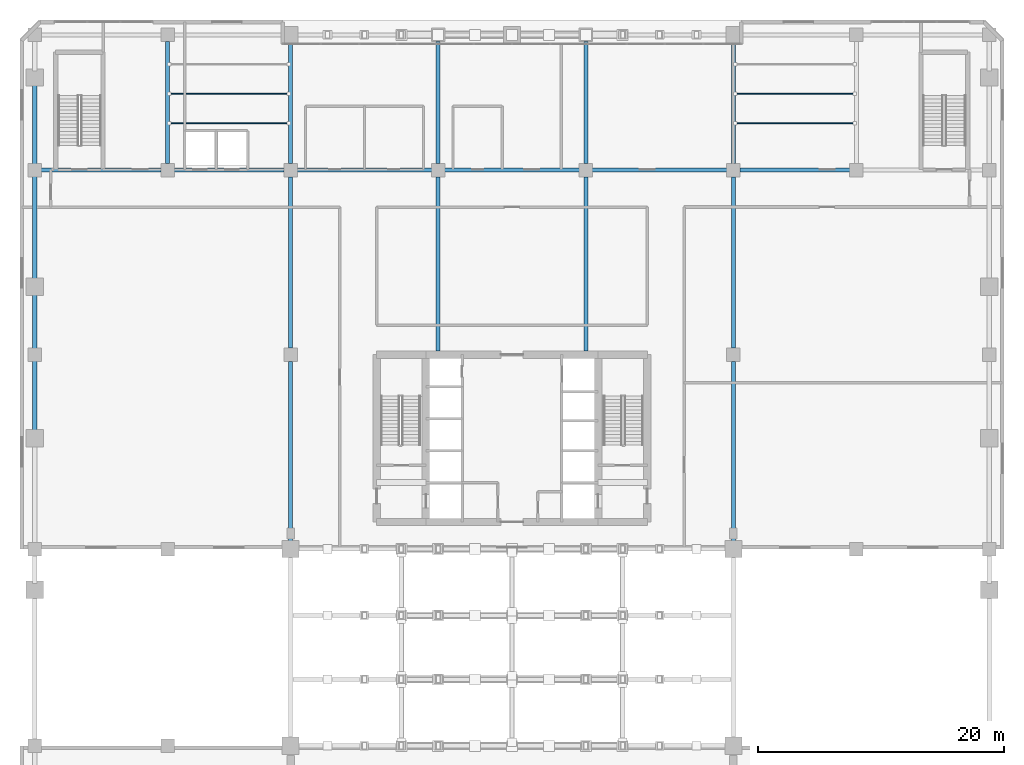
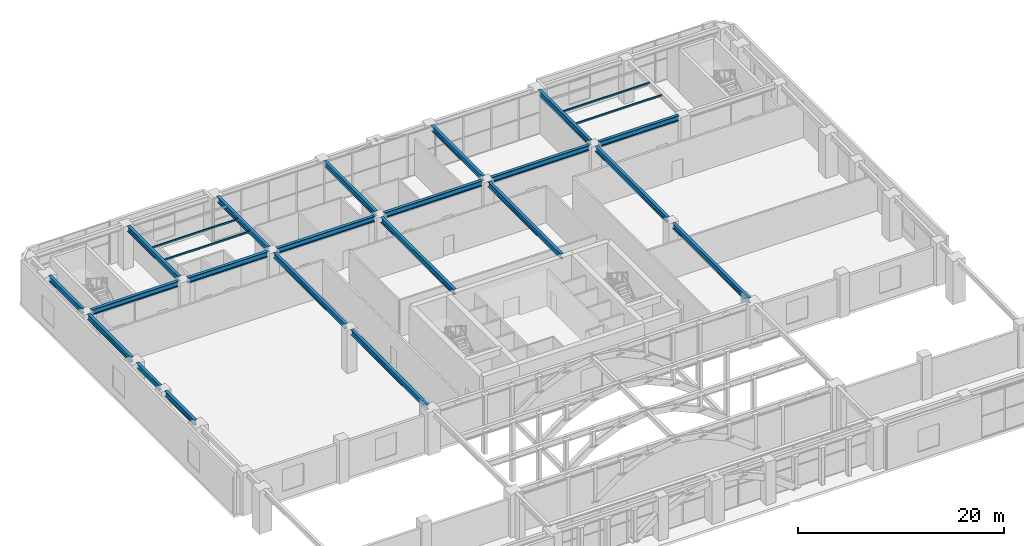
# One storey, part 11 of 32: 21 beams, 4 members.
"""IFC4 building model written with IfcOpenShell, lengths in metres."""

from ifc_helpers import new_model, si_unit, direction, frame, origin, origin_2d, place, context, subcontext, project, spatial, hollow_rectangle, i_section, extrude, material, material_profile, profile_set, type_object, element, save


model = new_model("IFC4")

# Units and contexts
model_context = context("Model", 3, precision=1e-05, world=origin(), true_north=direction((0.0, 1.0)))
body_context = subcontext(model_context, "Body", "Model", "MODEL_VIEW")
ifc_project = project(units=[si_unit("LENGTHUNIT", "METRE"), si_unit("AREAUNIT", "SQUARE_METRE"), si_unit("VOLUMEUNIT", "CUBIC_METRE"), si_unit("PLANEANGLEUNIT", "RADIAN"), si_unit("MASSUNIT", "GRAM", prefix="KILO")], contexts=[model_context])

# Site, building, storey
site_placement = place(None, origin())
site = spatial("IfcSite", under=ifc_project, at=site_placement, CompositionType="ELEMENT")
building_placement = place(site_placement, origin())
building = spatial("IfcBuilding", under=site, at=building_placement, Name="Sarneth Arch Tower", CompositionType="ELEMENT")
storey_placement = place(building_placement, frame((0.0, 0.0, 11.39990234375)))
storey = spatial("IfcBuildingStorey", under=building, at=storey_placement, Name="L02", CompositionType="ELEMENT", Elevation=11.39990234375)

# Beams
ifc_material_1 = material(Name="Steel S355", Category="steel")
ifc_material_profile_1 = material_profile(ifc_material_1, i_section(OverallWidth=0.3291015625, OverallDepth=0.635009765625, WebThickness=0.017822265625, FlangeThickness=0.031005859375, FilletRadius=0.01904296875, at=origin_2d()), Name="W610x241")
ifc_profile_set_1 = profile_set([ifc_material_profile_1], Name="Steel S355")
beam_type = type_object("IfcBeamType", Name="BM-POD-610", PredefinedType="BEAM", material=ifc_profile_set_1)
beam_1_placement = place(storey_placement, frame((9.719970703125, 63.800048828125, 4.78271484375), z_axis=(1.0, 0.0, 0.0), x_axis=(0.0, 1.0, 0.0)))
element("IfcBeam", 1, at=beam_1_placement, inside=storey, type_object=beam_type, Name="L02 Podium PC girder 1", PredefinedType="BEAM", context=body_context, shape_type="SweptSolid", body=[
    extrude(i_section(OverallWidth=0.3291015625, OverallDepth=0.635009765625, WebThickness=0.017822265625, FlangeThickness=0.031005859375, FilletRadius=0.01904296875, at=origin_2d()), origin(), (0.0, 0.0, 1.0), 9.760009765625),
])
beam_2_placement = place(storey_placement, frame((20.52001953125, 63.800048828125, 4.78271484375), z_axis=(1.0, 0.0, 0.0), x_axis=(0.0, 1.0, 0.0)))
element("IfcBeam", 2, at=beam_2_placement, inside=storey, type_object=beam_type, Name="L02 Podium PC girder 2", PredefinedType="BEAM", context=body_context, shape_type="SweptSolid", body=[
    extrude(i_section(OverallWidth=0.3291015625, OverallDepth=0.635009765625, WebThickness=0.017822265625, FlangeThickness=0.031005859375, FilletRadius=0.01904296875, at=origin_2d()), origin(), (0.0, 0.0, 1.0), 8.9599609375),
])
for number, where, z_axis, x_axis, name in (
    (3, (30.52001953125, 63.800048828125, 4.78271484375), (1.0, 0.0, 0.0), (0.0, 1.0, 0.0), "L02 Podium PC girder 3"),
    (4, (42.52001953125, 63.800048828125, 4.78271484375), (1.0, 0.0, 0.0), (0.0, 1.0, 0.0), "L02 Podium PC girder 4"),
    (5, (54.52001953125, 63.800048828125, 4.78271484375), (1.0, 0.0, 0.0), (0.0, 1.0, 0.0), "L02 Podium PC girder 5"),
):
    element("IfcBeam", number, at=place(storey_placement, frame(where, z_axis=z_axis, x_axis=x_axis)), inside=storey, type_object=beam_type, Name=name, PredefinedType="BEAM", context=body_context, shape_type="SweptSolid", body=[
        extrude(i_section(OverallWidth=0.3291015625, OverallDepth=0.635009765625, WebThickness=0.017822265625, FlangeThickness=0.031005859375, FilletRadius=0.01904296875, at=origin_2d()), origin(), (0.0, 0.0, 1.0), 10.9599609375),
    ])
beam_3_placement = place(storey_placement, frame((66.52001953125, 63.800048828125, 4.78271484375), z_axis=(1.0, 0.0, 0.0), x_axis=(0.0, 1.0, 0.0)))
element("IfcBeam", 6, at=beam_3_placement, inside=storey, type_object=beam_type, Name="L02 Podium PC girder 6", PredefinedType="BEAM", context=body_context, shape_type="SweptSolid", body=[
    extrude(i_section(OverallWidth=0.3291015625, OverallDepth=0.635009765625, WebThickness=0.017822265625, FlangeThickness=0.031005859375, FilletRadius=0.01904296875, at=origin_2d()), origin(), (0.0, 0.0, 1.0), 8.9599609375),
])
beam_4_placement = place(storey_placement, frame((9.199951171875, 42.52001953125, 4.78271484375), z_axis=(0.0, 1.0, 0.0), x_axis=(-1.0, 0.0, 0.0)))
element("IfcBeam", 7, at=beam_4_placement, inside=storey, type_object=beam_type, Name="L02 Podium PW girder 6", PredefinedType="BEAM", context=body_context, shape_type="SweptSolid", body=[
    extrude(i_section(OverallWidth=0.3291015625, OverallDepth=0.635009765625, WebThickness=0.017822265625, FlangeThickness=0.031005859375, FilletRadius=0.01904296875, at=origin_2d()), origin(), (0.0, 0.0, 1.0), 5.760009765625),
])
beam_5_placement = place(storey_placement, frame((9.199951171875, 49.320068359375, 4.78271484375), z_axis=(0.0, 1.0, 0.0), x_axis=(-1.0, 0.0, 0.0)))
element("IfcBeam", 8, at=beam_5_placement, inside=storey, type_object=beam_type, Name="L02 Podium PW girder 7", PredefinedType="BEAM", context=body_context, shape_type="SweptSolid", body=[
    extrude(i_section(OverallWidth=0.3291015625, OverallDepth=0.635009765625, WebThickness=0.017822265625, FlangeThickness=0.031005859375, FilletRadius=0.01904296875, at=origin_2d()), origin(), (0.0, 0.0, 1.0), 4.477783203125),
])
beam_6_placement = place(storey_placement, frame((9.199951171875, 54.837890625, 4.78271484375), z_axis=(0.0, 1.0, 0.0), x_axis=(-1.0, 0.0, 0.0)))
element("IfcBeam", 9, at=beam_6_placement, inside=storey, type_object=beam_type, Name="L02 Podium PW girder 8", PredefinedType="BEAM", context=body_context, shape_type="SweptSolid", body=[
    extrude(i_section(OverallWidth=0.3291015625, OverallDepth=0.635009765625, WebThickness=0.017822265625, FlangeThickness=0.031005859375, FilletRadius=0.01904296875, at=origin_2d()), origin(), (0.0, 0.0, 1.0), 8.442138671875),
])
beam_7_placement = place(storey_placement, frame((9.199951171875, 64.320068359375, 4.78271484375), z_axis=(0.0, 1.0, 0.0), x_axis=(-1.0, 0.0, 0.0)))
element("IfcBeam", 10, at=beam_7_placement, inside=storey, type_object=beam_type, Name="L02 Podium PW girder 9", PredefinedType="BEAM", context=body_context, shape_type="SweptSolid", body=[
    extrude(i_section(OverallWidth=0.3291015625, OverallDepth=0.635009765625, WebThickness=0.017822265625, FlangeThickness=0.031005859375, FilletRadius=0.01904296875, at=origin_2d()), origin(), (0.0, 0.0, 1.0), 6.49658203125),
])
beam_8_placement = place(storey_placement, frame((30.0, 33.550048828125, 4.78271484375), z_axis=(0.0, 1.0, 0.0), x_axis=(-1.0, 0.0, 0.0)))
element("IfcBeam", 11, at=beam_8_placement, inside=storey, type_object=beam_type, Name="L02 Podium N-S girder W30.3", PredefinedType="BEAM", context=body_context, shape_type="SweptSolid", body=[
    extrude(i_section(OverallWidth=0.3291015625, OverallDepth=0.635009765625, WebThickness=0.017822265625, FlangeThickness=0.031005859375, FilletRadius=0.01904296875, at=origin_2d()), origin(), (0.0, 0.0, 1.0), 14.699951171875),
])
beam_9_placement = place(storey_placement, frame((30.0, 49.35009765625, 4.78271484375), z_axis=(0.0, 1.0, 0.0), x_axis=(-1.0, 0.0, 0.0)))
element("IfcBeam", 12, at=beam_9_placement, inside=storey, type_object=beam_type, Name="L02 Podium N-S girder W30.4", PredefinedType="BEAM", context=body_context, shape_type="SweptSolid", body=[
    extrude(i_section(OverallWidth=0.3291015625, OverallDepth=0.635009765625, WebThickness=0.017822265625, FlangeThickness=0.031005859375, FilletRadius=0.01904296875, at=origin_2d()), origin(), (0.0, 0.0, 1.0), 13.89990234375),
])
beam_10_placement = place(storey_placement, frame((30.0, 64.35009765625, 4.78271484375), z_axis=(0.0, 1.0, 0.0), x_axis=(-1.0, 0.0, 0.0)))
element("IfcBeam", 13, at=beam_10_placement, inside=storey, type_object=beam_type, Name="L02 Podium N-S girder W30.5", PredefinedType="BEAM", context=body_context, shape_type="SweptSolid", body=[
    extrude(i_section(OverallWidth=0.3291015625, OverallDepth=0.635009765625, WebThickness=0.017822265625, FlangeThickness=0.031005859375, FilletRadius=0.01904296875, at=origin_2d()), origin(), (0.0, 0.0, 1.0), 9.89990234375),
])
beam_11_placement = place(storey_placement, frame((66.0, 33.550048828125, 4.78271484375), z_axis=(0.0, 1.0, 0.0), x_axis=(-1.0, 0.0, 0.0)))
element("IfcBeam", 14, at=beam_11_placement, inside=storey, type_object=beam_type, Name="L02 Podium N-S girder E66.3", PredefinedType="BEAM", context=body_context, shape_type="SweptSolid", body=[
    extrude(i_section(OverallWidth=0.3291015625, OverallDepth=0.635009765625, WebThickness=0.017822265625, FlangeThickness=0.031005859375, FilletRadius=0.01904296875, at=origin_2d()), origin(), (0.0, 0.0, 1.0), 14.699951171875),
])
beam_12_placement = place(storey_placement, frame((66.0, 49.35009765625, 4.78271484375), z_axis=(0.0, 1.0, 0.0), x_axis=(-1.0, 0.0, 0.0)))
element("IfcBeam", 15, at=beam_12_placement, inside=storey, type_object=beam_type, Name="L02 Podium N-S girder E66.4", PredefinedType="BEAM", context=body_context, shape_type="SweptSolid", body=[
    extrude(i_section(OverallWidth=0.3291015625, OverallDepth=0.635009765625, WebThickness=0.017822265625, FlangeThickness=0.031005859375, FilletRadius=0.01904296875, at=origin_2d()), origin(), (0.0, 0.0, 1.0), 13.89990234375),
])
beam_13_placement = place(storey_placement, frame((66.0, 64.35009765625, 4.78271484375), z_axis=(0.0, 1.0, 0.0), x_axis=(-1.0, 0.0, 0.0)))
element("IfcBeam", 16, at=beam_13_placement, inside=storey, type_object=beam_type, Name="L02 Podium N-S girder E66.5", PredefinedType="BEAM", context=body_context, shape_type="SweptSolid", body=[
    extrude(i_section(OverallWidth=0.3291015625, OverallDepth=0.635009765625, WebThickness=0.017822265625, FlangeThickness=0.031005859375, FilletRadius=0.01904296875, at=origin_2d()), origin(), (0.0, 0.0, 1.0), 9.89990234375),
])
beam_14_placement = place(storey_placement, frame((42.0, 49.10009765625, 4.78271484375), z_axis=(0.0, 1.0, 0.0), x_axis=(-1.0, 0.0, 0.0)))
element("IfcBeam", 17, at=beam_14_placement, inside=storey, type_object=beam_type, Name="L02 Core-north girder C42.1", PredefinedType="BEAM", context=body_context, shape_type="SweptSolid", body=[
    extrude(i_section(OverallWidth=0.3291015625, OverallDepth=0.635009765625, WebThickness=0.017822265625, FlangeThickness=0.031005859375, FilletRadius=0.01904296875, at=origin_2d()), origin(), (0.0, 0.0, 1.0), 14.14990234375),
])
beam_15_placement = place(storey_placement, frame((42.0, 64.35009765625, 4.78271484375), z_axis=(0.0, 1.0, 0.0), x_axis=(-1.0, 0.0, 0.0)))
element("IfcBeam", 18, at=beam_15_placement, inside=storey, type_object=beam_type, Name="L02 North bay girder C42.2", PredefinedType="BEAM", context=body_context, shape_type="SweptSolid", body=[
    extrude(i_section(OverallWidth=0.3291015625, OverallDepth=0.635009765625, WebThickness=0.017822265625, FlangeThickness=0.031005859375, FilletRadius=0.01904296875, at=origin_2d()), origin(), (0.0, 0.0, 1.0), 9.89990234375),
])
beam_16_placement = place(storey_placement, frame((54.0, 49.10009765625, 4.78271484375), z_axis=(0.0, 1.0, 0.0), x_axis=(-1.0, 0.0, 0.0)))
element("IfcBeam", 19, at=beam_16_placement, inside=storey, type_object=beam_type, Name="L02 Core-north girder C54.1", PredefinedType="BEAM", context=body_context, shape_type="SweptSolid", body=[
    extrude(i_section(OverallWidth=0.3291015625, OverallDepth=0.635009765625, WebThickness=0.017822265625, FlangeThickness=0.031005859375, FilletRadius=0.01904296875, at=origin_2d()), origin(), (0.0, 0.0, 1.0), 14.14990234375),
])
for number, where, z_axis, x_axis, name in (
    (20, (54.0, 64.35009765625, 4.78271484375), (0.0, 1.0, 0.0), (-1.0, 0.0, 0.0), "L02 North bay girder C54.2"),
    (21, (20.0, 64.35009765625, 4.78271484375), (0.0, 1.0, 0.0), (-1.0, 0.0, 0.0), "L02 Skylight support girder SKW"),
):
    element("IfcBeam", number, at=place(storey_placement, frame(where, z_axis=z_axis, x_axis=x_axis)), inside=storey, type_object=beam_type, Name=name, PredefinedType="BEAM", context=body_context, shape_type="SweptSolid", body=[
        extrude(i_section(OverallWidth=0.3291015625, OverallDepth=0.635009765625, WebThickness=0.017822265625, FlangeThickness=0.031005859375, FilletRadius=0.01904296875, at=origin_2d()), origin(), (0.0, 0.0, 1.0), 9.89990234375),
    ])

# Members
ifc_material_2 = material(Name="Steel S355", Category="steel")
ifc_material_profile_2 = material_profile(ifc_material_2, hollow_rectangle(XDim=0.1201171875, YDim=0.199951171875, WallThickness=0.008056640625, InnerFilletRadius=0.011962890625, OuterFilletRadius=0.02001953125, at=origin_2d()), Name="RHS200x120x8")
ifc_profile_set_2 = profile_set([ifc_material_profile_2], Name="Steel S355")
member_type = type_object("IfcMemberType", Name="MEM-PURLIN-200", PredefinedType="PURLIN", material=ifc_profile_set_2)
for number, where, z_axis, x_axis, name in (
    (22, (20.14990234375, 67.60009765625, 5.0), (1.0, 0.0, 0.0), (0.0, 1.0, 0.0), "L02 Skylight roof purlin 1.1"),
    (23, (66.14990234375, 67.60009765625, 5.0), (1.0, 0.0, 0.0), (0.0, 1.0, 0.0), "L02 Skylight roof purlin 1.2"),
    (24, (20.14990234375, 70.0, 5.0), (1.0, 0.0, 0.0), (0.0, 1.0, 0.0), "L02 Skylight roof purlin 2.1"),
    (25, (66.14990234375, 70.0, 5.0), (1.0, 0.0, 0.0), (0.0, 1.0, 0.0), "L02 Skylight roof purlin 2.2"),
):
    element("IfcMember", number, at=place(storey_placement, frame(where, z_axis=z_axis, x_axis=x_axis)), inside=storey, type_object=member_type, Name=name, PredefinedType="PURLIN", context=body_context, shape_type="SweptSolid", body=[
        extrude(hollow_rectangle(XDim=0.1201171875, YDim=0.199951171875, WallThickness=0.008056640625, InnerFilletRadius=0.011962890625, OuterFilletRadius=0.02001953125, at=origin_2d()), origin(), (0.0, 0.0, 1.0), 9.7001953125),
    ])

save(model, "model.ifc")
